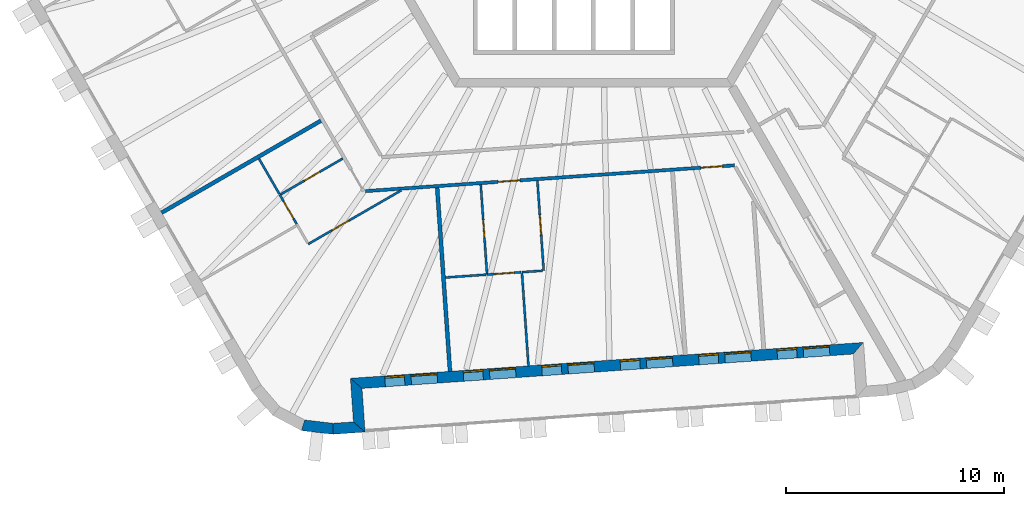
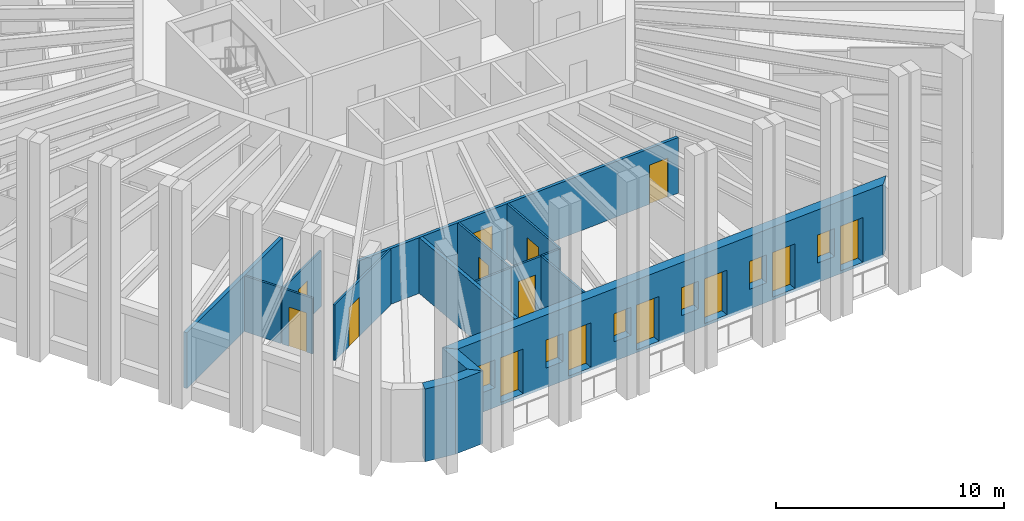
# One storey, part 3 of 13: 17 walls, 14 doors, 6 windows, 20 openings.
"""IFC4 building model written with IfcOpenShell, lengths in metres."""

from ifc_helpers import new_model, si_unit, direction, frame, frame_2d, origin, place, context, subcontext, project, spatial, polyline, rectangle, outline, extrude, material, layer, layer_set, type_object, element, fill, save


model = new_model("IFC4")

# Units and contexts
model_context = context("Model", 3, precision=1e-05, world=origin(), true_north=direction((0.0, 1.0)))
body_context = subcontext(model_context, "Body", "Model", "MODEL_VIEW")
ifc_project = project(units=[si_unit("LENGTHUNIT", "METRE"), si_unit("AREAUNIT", "SQUARE_METRE"), si_unit("VOLUMEUNIT", "CUBIC_METRE"), si_unit("PLANEANGLEUNIT", "RADIAN"), si_unit("MASSUNIT", "GRAM", prefix="KILO")], contexts=[model_context])

# Site, building, storey
site_placement = place(None, origin())
site = spatial("IfcSite", under=ifc_project, at=site_placement, CompositionType="ELEMENT")
building_placement = place(site_placement, origin())
building = spatial("IfcBuilding", under=site, at=building_placement, Name="Tarnside Tower", CompositionType="ELEMENT")
storey_placement = place(building_placement, frame((0.0, 0.0, 303.0)))
storey = spatial("IfcBuildingStorey", under=building, at=storey_placement, Name="L73", CompositionType="ELEMENT", Elevation=303.0)

# Wall, opening, door
ifc_material_1 = material(Name="Gypsum board partition on steel studs", Category="steel")
ifc_layer_1 = layer(ifc_material_1, 0.10009765625)
ifc_layer_set_1 = layer_set([ifc_layer_1], Name="Bathroom wall 100")
wall_type_1 = type_object("IfcWallType", Name="Bathroom wall 100", PredefinedType="PARTITIONING", material=ifc_layer_set_1)
wall_1_placement = place(storey_placement, frame((-11.47509765625, -14.274658203125, 0.0), z_axis=(0.0, 0.0, 1.0), x_axis=(-0.866002163101, -0.500040251884, 0.0)))
wall_1 = element("IfcWall", 1, at=wall_1_placement, inside=storey, type_object=wall_type_1, Name="Bathroom wall 24130", PredefinedType="PARTITIONING", context=body_context, shape_type="SweptSolid", body=[
    extrude(rectangle(XDim=3.324951171875, YDim=0.10009765625, at=frame_2d((1.66259765625, 0.0))), origin(), (0.0, 0.0, 1.0), 2.98779296875),
])
opening_1_placement = place(wall_1_placement, frame((1.22509765625, 0.0, 0.0)))
opening_1 = element("IfcOpeningElement", 2, at=opening_1_placement, cuts=wall_1, Name="Opening D-B1", PredefinedType="OPENING", context=body_context, shape_type="SweptSolid", body=[
    extrude(rectangle(XDim=0.800048828125, YDim=2.10009765625, at=frame_2d((0.39990234375, 1.050048828125))), frame((0.0, 0.06005859375, 0.0), z_axis=(0.0, -1.0, 0.0), x_axis=(1.0, 0.0, 0.0)), (0.0, 0.0, 1.0), 0.1201171875),
])
ifc_material_2 = material(Name="Timber door leaf", Category="wood")
door_type_1 = type_object("IfcDoorType", Name="Bathroom door 800", OperationType="NOTDEFINED", PredefinedType="DOOR", material=ifc_material_2)
door_1_placement = place(opening_1_placement, origin())
door_1 = element("IfcDoor", 3, at=door_1_placement, inside=storey, type_object=door_type_1, Name="Bathroom door 24034", OperationType="SINGLE_SWING_RIGHT", OverallHeight=2.10009765625, OverallWidth=0.800048828125, PredefinedType="DOOR", context=body_context, shape_type="SweptSolid", body=[
    extrude(rectangle(XDim=0.800048828125, YDim=2.10009765625, at=frame_2d((0.39990234375, 1.050048828125))), frame((0.0, 0.02490234375, 0.0), z_axis=(0.0, -1.0, 0.0), x_axis=(1.0, 0.0, 0.0)), (0.0, 0.0, 1.0), 0.050048828125),
])
fill(opening_1, door_1)

# Wall
wall_2_placement = place(storey_placement, frame((-15.3095703125, -14.283203125, 0.0), z_axis=(0.0, 0.0, 1.0), x_axis=(0.500059143742, -0.865991254436, 0.0)))
element("IfcWall", 4, at=wall_2_placement, inside=storey, type_object=wall_type_1, Name="Bathroom wall 24132", PredefinedType="PARTITIONING", context=body_context, shape_type="SweptSolid", body=[
    extrude(rectangle(XDim=1.862060546875, YDim=0.10009765625, at=frame_2d((0.93115234375, 0.0))), origin(), (0.0, 0.0, 1.0), 2.98779296875),
])

# Wall, opening, door
wall_3_placement = place(storey_placement, frame((-5.157958984375, -15.472412109375, 0.0), z_axis=(0.0, 0.0, 1.0), x_axis=(0.069779065701, -0.997562470219, 0.0)))
wall_3 = element("IfcWall", 5, at=wall_3_placement, inside=storey, type_object=wall_type_1, Name="Bathroom wall 24137", PredefinedType="PARTITIONING", context=body_context, shape_type="SweptSolid", body=[
    extrude(rectangle(XDim=4.125, YDim=0.10009765625, at=frame_2d((2.0625, 0.0))), origin(), (0.0, 0.0, 1.0), 2.98779296875),
])
opening_2_placement = place(wall_3_placement, frame((1.625, 0.0, 0.0)))
opening_2 = element("IfcOpeningElement", 6, at=opening_2_placement, cuts=wall_3, Name="Opening D-B1", PredefinedType="OPENING", context=body_context, shape_type="SweptSolid", body=[
    extrude(rectangle(XDim=0.800048828125, YDim=2.10009765625, at=frame_2d((0.39990234375, 1.050048828125))), frame((0.0, 0.06005859375, 0.0), z_axis=(0.0, -1.0, 0.0), x_axis=(1.0, 0.0, 0.0)), (0.0, 0.0, 1.0), 0.1201171875),
])
door_2_placement = place(opening_2_placement, origin())
door_2 = element("IfcDoor", 7, at=door_2_placement, inside=storey, type_object=door_type_1, Name="Bathroom door 24038", OperationType="SINGLE_SWING_RIGHT", OverallHeight=2.10009765625, OverallWidth=0.800048828125, PredefinedType="DOOR", context=body_context, shape_type="SweptSolid", body=[
    extrude(rectangle(XDim=0.800048828125, YDim=2.10009765625, at=frame_2d((0.39990234375, 1.050048828125))), frame((0.0, 0.02490234375, 0.0), z_axis=(0.0, -1.0, 0.0), x_axis=(1.0, 0.0, 0.0)), (0.0, 0.0, 1.0), 0.050048828125),
])
fill(opening_2, door_2)

# Wall
wall_4_placement = place(storey_placement, frame((-6.775634765625, -19.720703125, 0.0), z_axis=(0.0, 0.0, 1.0), x_axis=(0.997564079323, 0.069756058123, 0.0)))
element("IfcWall", 8, at=wall_4_placement, inside=storey, type_object=wall_type_1, Name="Bathroom wall 24139", PredefinedType="PARTITIONING", context=body_context, shape_type="SweptSolid", body=[
    extrude(rectangle(XDim=1.862060546875, YDim=0.10009765625, at=frame_2d((0.93115234375, 0.0))), origin(), (0.0, 0.0, 1.0), 2.98779296875),
])

# Wall, openings, doors
ifc_layer_2 = layer(ifc_material_1, 0.14990234375)
ifc_layer_set_2 = layer_set([ifc_layer_2], Name="Corridor wall 150 EI 60")
wall_type_2 = type_object("IfcWallType", Name="Corridor wall 150 EI 60", PredefinedType="PARTITIONING", material=ifc_layer_set_2)
wall_5_placement = place(storey_placement, frame((-10.4404296875, -15.7666015625, 0.0), z_axis=(0.0, 0.0, 1.0), x_axis=(0.997565037323, 0.069742356651, 0.0)))
wall_5 = element("IfcWall", 9, at=wall_5_placement, inside=storey, type_object=wall_type_2, Name="Corridor wall 24034", PredefinedType="PARTITIONING", context=body_context, shape_type="SweptSolid", body=[
    extrude(rectangle(XDim=16.939453125, YDim=0.14990234375, at=frame_2d((8.4697265625, 0.0))), origin(), (0.0, 0.0, 1.0), 2.98779296875),
])
opening_3_placement = place(wall_5_placement, frame((6.090087890625, 0.0, 0.0)))
opening_3 = element("IfcOpeningElement", 10, at=opening_3_placement, cuts=wall_5, Name="Opening D-E1", PredefinedType="OPENING", context=body_context, shape_type="SweptSolid", body=[
    extrude(rectangle(XDim=1.0, YDim=2.10009765625, at=frame_2d((0.5, 1.050048828125))), frame((0.0, 0.0849609375, 0.0), z_axis=(0.0, -1.0, 0.0), x_axis=(1.0, 0.0, 0.0)), (0.0, 0.0, 1.0), 0.169921875),
])
opening_4_placement = place(wall_5_placement, frame((15.39013671875, 0.0, 0.0)))
opening_4 = element("IfcOpeningElement", 11, at=opening_4_placement, cuts=wall_5, Name="Opening D-E1", PredefinedType="OPENING", context=body_context, shape_type="SweptSolid", body=[
    extrude(rectangle(XDim=1.0, YDim=2.10009765625, at=frame_2d((0.5, 1.050048828125))), frame((0.0, 0.0849609375, 0.0), z_axis=(0.0, -1.0, 0.0), x_axis=(1.0, 0.0, 0.0)), (0.0, 0.0, 1.0), 0.169921875),
])
door_type_2 = type_object("IfcDoorType", Name="Unit entrance door 1000 FD30S", OperationType="NOTDEFINED", PredefinedType="DOOR", material=ifc_material_2)
door_3_placement = place(opening_3_placement, origin())
door_3 = element("IfcDoor", 12, at=door_3_placement, inside=storey, type_object=door_type_2, Name="Unit door 24037", OperationType="SINGLE_SWING_LEFT", OverallHeight=2.10009765625, OverallWidth=1.0, PredefinedType="DOOR", context=body_context, shape_type="SweptSolid", body=[
    extrude(rectangle(XDim=1.0, YDim=2.10009765625, at=frame_2d((0.5, 1.050048828125))), frame((0.0, 0.02490234375, 0.0), z_axis=(0.0, -1.0, 0.0), x_axis=(1.0, 0.0, 0.0)), (0.0, 0.0, 1.0), 0.050048828125),
])
fill(opening_3, door_3)
door_4_placement = place(opening_4_placement, origin())
door_4 = element("IfcDoor", 13, at=door_4_placement, inside=storey, type_object=door_type_2, Name="Unit door 24041", OperationType="SINGLE_SWING_LEFT", OverallHeight=2.10009765625, OverallWidth=1.0, PredefinedType="DOOR", context=body_context, shape_type="SweptSolid", body=[
    extrude(rectangle(XDim=1.0, YDim=2.10009765625, at=frame_2d((0.5, 1.050048828125))), frame((0.0, 0.02490234375, 0.0), z_axis=(0.0, -1.0, 0.0), x_axis=(1.0, 0.0, 0.0)), (0.0, 0.0, 1.0), 0.050048828125),
])
fill(opening_4, door_4)

# Walls
ifc_layer_3 = layer(ifc_material_1, 0.179931640625)
ifc_layer_set_3 = layer_set([ifc_layer_3], Name="Demising wall 180 EI 60")
wall_type_3 = type_object("IfcWallType", Name="Demising wall 180 EI 60", PredefinedType="PARTITIONING", material=ifc_layer_set_3)
wall_6_placement = place(storey_placement, frame((-19.771240234375, -16.755126953125, 0.0), z_axis=(0.0, 0.0, 1.0), x_axis=(0.866026819143, 0.499997548519, 0.0)))
element("IfcWall", 14, at=wall_6_placement, inside=storey, type_object=wall_type_3, Name="Demising wall 24116", PredefinedType="PARTITIONING", context=body_context, shape_type="SweptSolid", body=[
    extrude(rectangle(XDim=8.4248046875, YDim=0.179931640625, at=frame_2d((4.21240234375, 0.0))), origin(), (0.0, 0.0, 1.0), 2.98779296875),
])
wall_7_placement = place(storey_placement, frame((-6.5654296875, -24.0166015625, 0.0), z_axis=(0.0, 0.0, 1.0), x_axis=(-0.069749826803, 0.997564515037, 0.0)))
element("IfcWall", 15, at=wall_7_placement, inside=storey, type_object=wall_type_3, Name="Demising wall 24128", PredefinedType="PARTITIONING", context=body_context, shape_type="SweptSolid", body=[
    extrude(rectangle(XDim=8.425048828125, YDim=0.179931640625, at=frame_2d((4.21240234375, 0.0))), origin(), (0.0, 0.0, 1.0), 2.98779296875),
])
ifc_material_3 = material(Name="Dark zinc cladding")
ifc_layer_4 = layer(ifc_material_3, 0.10205078125)
ifc_material_4 = material(Name="Concrete C60/75 precast", Category="concrete")
ifc_layer_5 = layer(ifc_material_4, 0.298095703125)
ifc_material_5 = material(Name="Mineral wool insulation")
ifc_layer_6 = layer(ifc_material_5, 0.10009765625)
ifc_layer_set_4 = layer_set([ifc_layer_4, ifc_layer_5, ifc_layer_6], Name="Loggia wall 500 zinc faced")
wall_type_4 = type_object("IfcWallType", Name="Loggia wall 500 zinc faced", PredefinedType="SOLIDWALL", material=ifc_layer_set_4)
wall_8_placement = place(storey_placement, frame((-11.91748046875, -26.646240234375, -0.14990234375), z_axis=(0.0, 0.0, 1.0), x_axis=(0.997562933087, 0.069772448216, 0.0)))
element("IfcWall", 16, at=wall_8_placement, inside=storey, type_object=wall_type_4, Name="Tube wall L73 F4 stub 16", PredefinedType="SOLIDWALL", context=body_context, shape_type="SweptSolid", body=[
    extrude(outline(polyline([(-0.0234375, -0.25), (1.4501953125, -0.25), (0.9501953125, 0.25), (0.0234375, 0.25), (-0.0234375, -0.25)])), origin(), (0.0, 0.0, 1.0), 3.89990234375),
])
wall_9_placement = place(storey_placement, frame((-10.72021484375, -26.5625, -0.14990234375), z_axis=(0.0, 0.0, 1.0), x_axis=(-0.069824268692, 0.99755930726, 0.0)))
element("IfcWall", 17, at=wall_9_placement, inside=storey, type_object=wall_type_4, Name="Tube wall L73 F4 return 17", PredefinedType="SOLIDWALL", context=body_context, shape_type="SweptSolid", body=[
    extrude(outline(polyline([(-0.25, -0.25), (1.75, -0.25), (2.25, 0.25), (0.25, 0.25), (-0.25, -0.25)])), origin(), (0.0, 0.0, 1.0), 3.89990234375),
])

# Wall, openings, doors, windows
wall_10_placement = place(storey_placement, frame((-10.85986328125, -24.5673828125, -0.14990234375), z_axis=(0.0, 0.0, 1.0), x_axis=(0.997564329317, 0.06975248292, 0.0)))
wall_10 = element("IfcWall", 18, at=wall_10_placement, inside=storey, type_object=wall_type_4, Name="Tube wall L73 F4 back 18", PredefinedType="SOLIDWALL", context=body_context, shape_type="SweptSolid", body=[
    extrude(outline(polyline([(0.25, -0.25), (22.794677734375, -0.25), (23.294677734375, 0.25), (-0.25, 0.25), (0.25, -0.25)])), origin(), (0.0, 0.0, 1.0), 3.89990234375),
])
opening_5_placement = place(wall_10_placement, frame((1.322509765625, 0.0, 1.050048828125)))
opening_5 = element("IfcOpeningElement", 19, at=opening_5_placement, cuts=wall_10, Name="Opening WL500", PredefinedType="OPENING", context=body_context, shape_type="SweptSolid", body=[
    extrude(rectangle(XDim=0.89990234375, YDim=1.5, at=frame_2d((0.449951171875, 0.75))), frame((0.0, 0.260009765625, 0.0), z_axis=(0.0, -1.0, 0.0), x_axis=(1.0, 0.0, 0.0)), (0.0, 0.0, 1.0), 0.52001953125),
])
opening_6_placement = place(wall_10_placement, frame((2.5224609375, 0.0, 0.14990234375)))
opening_6 = element("IfcOpeningElement", 20, at=opening_6_placement, cuts=wall_10, Name="Opening DB500", PredefinedType="OPENING", context=body_context, shape_type="SweptSolid", body=[
    extrude(rectangle(XDim=1.199951171875, YDim=2.39990234375, at=frame_2d((0.60009765625, 1.199951171875))), frame((0.0, 0.260009765625, 0.0), z_axis=(0.0, -1.0, 0.0), x_axis=(1.0, 0.0, 0.0)), (0.0, 0.0, 1.0), 0.52001953125),
])
opening_7_placement = place(wall_10_placement, frame((4.92236328125, 0.0, 1.050048828125)))
opening_7 = element("IfcOpeningElement", 21, at=opening_7_placement, cuts=wall_10, Name="Opening WL500", PredefinedType="OPENING", context=body_context, shape_type="SweptSolid", body=[
    extrude(rectangle(XDim=0.89990234375, YDim=1.5, at=frame_2d((0.449951171875, 0.75))), frame((0.0, 0.260009765625, 0.0), z_axis=(0.0, -1.0, 0.0), x_axis=(1.0, 0.0, 0.0)), (0.0, 0.0, 1.0), 0.52001953125),
])
opening_8_placement = place(wall_10_placement, frame((6.122314453125, 0.0, 0.14990234375)))
opening_8 = element("IfcOpeningElement", 22, at=opening_8_placement, cuts=wall_10, Name="Opening DB500", PredefinedType="OPENING", context=body_context, shape_type="SweptSolid", body=[
    extrude(rectangle(XDim=1.199951171875, YDim=2.39990234375, at=frame_2d((0.60009765625, 1.199951171875))), frame((0.0, 0.260009765625, 0.0), z_axis=(0.0, -1.0, 0.0), x_axis=(1.0, 0.0, 0.0)), (0.0, 0.0, 1.0), 0.52001953125),
])
opening_9_placement = place(wall_10_placement, frame((8.5224609375, 0.0, 1.050048828125)))
opening_9 = element("IfcOpeningElement", 23, at=opening_9_placement, cuts=wall_10, Name="Opening WL500", PredefinedType="OPENING", context=body_context, shape_type="SweptSolid", body=[
    extrude(rectangle(XDim=0.89990234375, YDim=1.5, at=frame_2d((0.449951171875, 0.75))), frame((0.0, 0.260009765625, 0.0), z_axis=(0.0, -1.0, 0.0), x_axis=(1.0, 0.0, 0.0)), (0.0, 0.0, 1.0), 0.52001953125),
])
opening_10_placement = place(wall_10_placement, frame((9.722412109375, 0.0, 0.14990234375)))
opening_10 = element("IfcOpeningElement", 24, at=opening_10_placement, cuts=wall_10, Name="Opening DB500", PredefinedType="OPENING", context=body_context, shape_type="SweptSolid", body=[
    extrude(rectangle(XDim=1.199951171875, YDim=2.39990234375, at=frame_2d((0.60009765625, 1.199951171875))), frame((0.0, 0.260009765625, 0.0), z_axis=(0.0, -1.0, 0.0), x_axis=(1.0, 0.0, 0.0)), (0.0, 0.0, 1.0), 0.52001953125),
])
opening_11_placement = place(wall_10_placement, frame((12.122314453125, 0.0, 1.050048828125)))
opening_11 = element("IfcOpeningElement", 25, at=opening_11_placement, cuts=wall_10, Name="Opening WL500", PredefinedType="OPENING", context=body_context, shape_type="SweptSolid", body=[
    extrude(rectangle(XDim=0.89990234375, YDim=1.5, at=frame_2d((0.449951171875, 0.75))), frame((0.0, 0.260009765625, 0.0), z_axis=(0.0, -1.0, 0.0), x_axis=(1.0, 0.0, 0.0)), (0.0, 0.0, 1.0), 0.52001953125),
])
opening_12_placement = place(wall_10_placement, frame((13.322509765625, 0.0, 0.14990234375)))
opening_12 = element("IfcOpeningElement", 26, at=opening_12_placement, cuts=wall_10, Name="Opening DB500", PredefinedType="OPENING", context=body_context, shape_type="SweptSolid", body=[
    extrude(rectangle(XDim=1.199951171875, YDim=2.39990234375, at=frame_2d((0.60009765625, 1.199951171875))), frame((0.0, 0.260009765625, 0.0), z_axis=(0.0, -1.0, 0.0), x_axis=(1.0, 0.0, 0.0)), (0.0, 0.0, 1.0), 0.52001953125),
])
opening_13_placement = place(wall_10_placement, frame((15.722412109375, 0.0, 1.050048828125)))
opening_13 = element("IfcOpeningElement", 27, at=opening_13_placement, cuts=wall_10, Name="Opening WL500", PredefinedType="OPENING", context=body_context, shape_type="SweptSolid", body=[
    extrude(rectangle(XDim=0.89990234375, YDim=1.5, at=frame_2d((0.449951171875, 0.75))), frame((0.0, 0.260009765625, 0.0), z_axis=(0.0, -1.0, 0.0), x_axis=(1.0, 0.0, 0.0)), (0.0, 0.0, 1.0), 0.52001953125),
])
opening_14_placement = place(wall_10_placement, frame((16.92236328125, 0.0, 0.14990234375)))
opening_14 = element("IfcOpeningElement", 28, at=opening_14_placement, cuts=wall_10, Name="Opening DB500", PredefinedType="OPENING", context=body_context, shape_type="SweptSolid", body=[
    extrude(rectangle(XDim=1.199951171875, YDim=2.39990234375, at=frame_2d((0.60009765625, 1.199951171875))), frame((0.0, 0.260009765625, 0.0), z_axis=(0.0, -1.0, 0.0), x_axis=(1.0, 0.0, 0.0)), (0.0, 0.0, 1.0), 0.52001953125),
])
opening_15_placement = place(wall_10_placement, frame((19.322509765625, 0.0, 1.050048828125)))
opening_15 = element("IfcOpeningElement", 29, at=opening_15_placement, cuts=wall_10, Name="Opening WL500", PredefinedType="OPENING", context=body_context, shape_type="SweptSolid", body=[
    extrude(rectangle(XDim=0.89990234375, YDim=1.5, at=frame_2d((0.449951171875, 0.75))), frame((0.0, 0.260009765625, 0.0), z_axis=(0.0, -1.0, 0.0), x_axis=(1.0, 0.0, 0.0)), (0.0, 0.0, 1.0), 0.52001953125),
])
opening_16_placement = place(wall_10_placement, frame((20.5224609375, 0.0, 0.14990234375)))
opening_16 = element("IfcOpeningElement", 30, at=opening_16_placement, cuts=wall_10, Name="Opening DB500", PredefinedType="OPENING", context=body_context, shape_type="SweptSolid", body=[
    extrude(rectangle(XDim=1.199951171875, YDim=2.39990234375, at=frame_2d((0.60009765625, 1.199951171875))), frame((0.0, 0.260009765625, 0.0), z_axis=(0.0, -1.0, 0.0), x_axis=(1.0, 0.0, 0.0)), (0.0, 0.0, 1.0), 0.52001953125),
])
ifc_material_6 = material(Name="Aluminium-framed double glazing", Category="aluminium")
door_type_3 = type_object("IfcDoorType", Name="Balcony sliding door 1200 x 2400 in 500 wall", OperationType="SLIDING_TO_LEFT", PredefinedType="DOOR", material=ifc_material_6)
door_5_placement = place(opening_6_placement, frame((0.0, 0.1748046875, 0.0)))
door_5 = element("IfcDoor", 31, at=door_5_placement, inside=storey, type_object=door_type_3, Name="E.BD.L73.F4.00", OperationType="SLIDING_TO_LEFT", OverallHeight=2.39990234375, OverallWidth=1.199951171875, PredefinedType="DOOR", context=body_context, shape_type="SweptSolid", body=[
    extrude(rectangle(XDim=1.199951171875, YDim=2.39990234375, at=frame_2d((0.60009765625, 1.199951171875))), frame((0.0, 0.02490234375, 0.0), z_axis=(0.0, -1.0, 0.0), x_axis=(1.0, 0.0, 0.0)), (0.0, 0.0, 1.0), 0.050048828125),
])
fill(opening_6, door_5)
door_6_placement = place(opening_8_placement, frame((0.0, 0.1748046875, 0.0)))
door_6 = element("IfcDoor", 32, at=door_6_placement, inside=storey, type_object=door_type_3, Name="E.BD.L73.F4.01", OperationType="SLIDING_TO_LEFT", OverallHeight=2.39990234375, OverallWidth=1.199951171875, PredefinedType="DOOR", context=body_context, shape_type="SweptSolid", body=[
    extrude(rectangle(XDim=1.199951171875, YDim=2.39990234375, at=frame_2d((0.60009765625, 1.199951171875))), frame((0.0, 0.02490234375, 0.0), z_axis=(0.0, -1.0, 0.0), x_axis=(1.0, 0.0, 0.0)), (0.0, 0.0, 1.0), 0.050048828125),
])
fill(opening_8, door_6)
door_7_placement = place(opening_10_placement, frame((0.0, 0.1748046875, 0.0)))
door_7 = element("IfcDoor", 33, at=door_7_placement, inside=storey, type_object=door_type_3, Name="E.BD.L73.F4.02", OperationType="SLIDING_TO_LEFT", OverallHeight=2.39990234375, OverallWidth=1.199951171875, PredefinedType="DOOR", context=body_context, shape_type="SweptSolid", body=[
    extrude(rectangle(XDim=1.199951171875, YDim=2.39990234375, at=frame_2d((0.60009765625, 1.199951171875))), frame((0.0, 0.02490234375, 0.0), z_axis=(0.0, -1.0, 0.0), x_axis=(1.0, 0.0, 0.0)), (0.0, 0.0, 1.0), 0.050048828125),
])
fill(opening_10, door_7)
door_8_placement = place(opening_12_placement, frame((0.0, 0.1748046875, 0.0)))
door_8 = element("IfcDoor", 34, at=door_8_placement, inside=storey, type_object=door_type_3, Name="E.BD.L73.F4.03", OperationType="SLIDING_TO_LEFT", OverallHeight=2.39990234375, OverallWidth=1.199951171875, PredefinedType="DOOR", context=body_context, shape_type="SweptSolid", body=[
    extrude(rectangle(XDim=1.199951171875, YDim=2.39990234375, at=frame_2d((0.60009765625, 1.199951171875))), frame((0.0, 0.02490234375, 0.0), z_axis=(0.0, -1.0, 0.0), x_axis=(1.0, 0.0, 0.0)), (0.0, 0.0, 1.0), 0.050048828125),
])
fill(opening_12, door_8)
door_9_placement = place(opening_14_placement, frame((0.0, 0.1748046875, 0.0)))
door_9 = element("IfcDoor", 35, at=door_9_placement, inside=storey, type_object=door_type_3, Name="E.BD.L73.F4.04", OperationType="SLIDING_TO_LEFT", OverallHeight=2.39990234375, OverallWidth=1.199951171875, PredefinedType="DOOR", context=body_context, shape_type="SweptSolid", body=[
    extrude(rectangle(XDim=1.199951171875, YDim=2.39990234375, at=frame_2d((0.60009765625, 1.199951171875))), frame((0.0, 0.02490234375, 0.0), z_axis=(0.0, -1.0, 0.0), x_axis=(1.0, 0.0, 0.0)), (0.0, 0.0, 1.0), 0.050048828125),
])
fill(opening_14, door_9)
door_10_placement = place(opening_16_placement, frame((0.0, 0.1748046875, 0.0)))
door_10 = element("IfcDoor", 36, at=door_10_placement, inside=storey, type_object=door_type_3, Name="E.BD.L73.F4.05", OperationType="SLIDING_TO_LEFT", OverallHeight=2.39990234375, OverallWidth=1.199951171875, PredefinedType="DOOR", context=body_context, shape_type="SweptSolid", body=[
    extrude(rectangle(XDim=1.199951171875, YDim=2.39990234375, at=frame_2d((0.60009765625, 1.199951171875))), frame((0.0, 0.02490234375, 0.0), z_axis=(0.0, -1.0, 0.0), x_axis=(1.0, 0.0, 0.0)), (0.0, 0.0, 1.0), 0.050048828125),
])
fill(opening_16, door_10)
window_type = type_object("IfcWindowType", Name="Loggia window 900 x 1500 in 500 wall", PartitioningType="SINGLE_PANEL", PredefinedType="WINDOW", material=ifc_material_6)
window_1_placement = place(opening_5_placement, frame((0.0, 0.179931640625, 0.0)))
window_1 = element("IfcWindow", 37, at=window_1_placement, inside=storey, type_object=window_type, Name="E.LW.L73.F4.00", OverallHeight=1.5, OverallWidth=0.89990234375, PartitioningType="SINGLE_PANEL", PredefinedType="WINDOW", context=body_context, shape_type="SweptSolid", body=[
    extrude(rectangle(XDim=0.89990234375, YDim=1.5, at=frame_2d((0.449951171875, 0.75))), frame((0.0, 0.030029296875, 0.0), z_axis=(0.0, -1.0, 0.0), x_axis=(1.0, 0.0, 0.0)), (0.0, 0.0, 1.0), 0.06005859375),
])
fill(opening_5, window_1)
window_2_placement = place(opening_7_placement, frame((0.0, 0.179931640625, 0.0)))
window_2 = element("IfcWindow", 38, at=window_2_placement, inside=storey, type_object=window_type, Name="E.LW.L73.F4.01", OverallHeight=1.5, OverallWidth=0.89990234375, PartitioningType="SINGLE_PANEL", PredefinedType="WINDOW", context=body_context, shape_type="SweptSolid", body=[
    extrude(rectangle(XDim=0.89990234375, YDim=1.5, at=frame_2d((0.449951171875, 0.75))), frame((0.0, 0.030029296875, 0.0), z_axis=(0.0, -1.0, 0.0), x_axis=(1.0, 0.0, 0.0)), (0.0, 0.0, 1.0), 0.06005859375),
])
fill(opening_7, window_2)
window_3_placement = place(opening_9_placement, frame((0.0, 0.179931640625, 0.0)))
window_3 = element("IfcWindow", 39, at=window_3_placement, inside=storey, type_object=window_type, Name="E.LW.L73.F4.02", OverallHeight=1.5, OverallWidth=0.89990234375, PartitioningType="SINGLE_PANEL", PredefinedType="WINDOW", context=body_context, shape_type="SweptSolid", body=[
    extrude(rectangle(XDim=0.89990234375, YDim=1.5, at=frame_2d((0.449951171875, 0.75))), frame((0.0, 0.030029296875, 0.0), z_axis=(0.0, -1.0, 0.0), x_axis=(1.0, 0.0, 0.0)), (0.0, 0.0, 1.0), 0.06005859375),
])
fill(opening_9, window_3)
window_4_placement = place(opening_11_placement, frame((0.0, 0.179931640625, 0.0)))
window_4 = element("IfcWindow", 40, at=window_4_placement, inside=storey, type_object=window_type, Name="E.LW.L73.F4.03", OverallHeight=1.5, OverallWidth=0.89990234375, PartitioningType="SINGLE_PANEL", PredefinedType="WINDOW", context=body_context, shape_type="SweptSolid", body=[
    extrude(rectangle(XDim=0.89990234375, YDim=1.5, at=frame_2d((0.449951171875, 0.75))), frame((0.0, 0.030029296875, 0.0), z_axis=(0.0, -1.0, 0.0), x_axis=(1.0, 0.0, 0.0)), (0.0, 0.0, 1.0), 0.06005859375),
])
fill(opening_11, window_4)
window_5_placement = place(opening_13_placement, frame((0.0, 0.179931640625, 0.0)))
window_5 = element("IfcWindow", 41, at=window_5_placement, inside=storey, type_object=window_type, Name="E.LW.L73.F4.04", OverallHeight=1.5, OverallWidth=0.89990234375, PartitioningType="SINGLE_PANEL", PredefinedType="WINDOW", context=body_context, shape_type="SweptSolid", body=[
    extrude(rectangle(XDim=0.89990234375, YDim=1.5, at=frame_2d((0.449951171875, 0.75))), frame((0.0, 0.030029296875, 0.0), z_axis=(0.0, -1.0, 0.0), x_axis=(1.0, 0.0, 0.0)), (0.0, 0.0, 1.0), 0.06005859375),
])
fill(opening_13, window_5)
window_6_placement = place(opening_15_placement, frame((0.0, 0.179931640625, 0.0)))
window_6 = element("IfcWindow", 42, at=window_6_placement, inside=storey, type_object=window_type, Name="E.LW.L73.F4.05", OverallHeight=1.5, OverallWidth=0.89990234375, PartitioningType="SINGLE_PANEL", PredefinedType="WINDOW", context=body_context, shape_type="SweptSolid", body=[
    extrude(rectangle(XDim=0.89990234375, YDim=1.5, at=frame_2d((0.449951171875, 0.75))), frame((0.0, 0.030029296875, 0.0), z_axis=(0.0, -1.0, 0.0), x_axis=(1.0, 0.0, 0.0)), (0.0, 0.0, 1.0), 0.06005859375),
])
fill(opening_15, window_6)

# Wall, opening, door
ifc_layer_7 = layer(ifc_material_1, 0.10009765625)
ifc_layer_set_5 = layer_set([ifc_layer_7], Name="Partition 100")
wall_type_5 = type_object("IfcWallType", Name="Partition 100", PredefinedType="PARTITIONING", material=ifc_layer_set_5)
wall_11_placement = place(storey_placement, frame((-8.789306640625, -15.726318359375, 0.0), z_axis=(0.0, 0.0, 1.0), x_axis=(-0.866010575439, -0.500025682568, 0.0)))
wall_11 = element("IfcWall", 43, at=wall_11_placement, inside=storey, type_object=wall_type_5, Name="Partition wall 24125", PredefinedType="PARTITIONING", context=body_context, shape_type="SweptSolid", body=[
    extrude(rectangle(XDim=4.925048828125, YDim=0.10009765625, at=frame_2d((2.46240234375, 0.0))), origin(), (0.0, 0.0, 1.0), 2.98779296875),
])
opening_17_placement = place(wall_11_placement, frame((2.77490234375, 0.0, 0.0)))
opening_17 = element("IfcOpeningElement", 44, at=opening_17_placement, cuts=wall_11, Name="Opening D-I1", PredefinedType="OPENING", context=body_context, shape_type="SweptSolid", body=[
    extrude(rectangle(XDim=0.89990234375, YDim=2.10009765625, at=frame_2d((0.449951171875, 1.050048828125))), frame((0.0, 0.06005859375, 0.0), z_axis=(0.0, -1.0, 0.0), x_axis=(1.0, 0.0, 0.0)), (0.0, 0.0, 1.0), 0.1201171875),
])
door_type_4 = type_object("IfcDoorType", Name="Internal door 900", OperationType="NOTDEFINED", PredefinedType="DOOR", material=ifc_material_2)
door_11_placement = place(opening_17_placement, origin())
door_11 = element("IfcDoor", 45, at=door_11_placement, inside=storey, type_object=door_type_4, Name="Internal door 24035", OperationType="SINGLE_SWING_LEFT", OverallHeight=2.10009765625, OverallWidth=0.89990234375, PredefinedType="DOOR", context=body_context, shape_type="SweptSolid", body=[
    extrude(rectangle(XDim=0.89990234375, YDim=2.10009765625, at=frame_2d((0.449951171875, 1.050048828125))), frame((0.0, 0.02490234375, 0.0), z_axis=(0.0, -1.0, 0.0), x_axis=(1.0, 0.0, 0.0)), (0.0, 0.0, 1.0), 0.050048828125),
])
fill(opening_17, door_11)

wall_12_placement = place(storey_placement, frame((-14.35546875, -15.935546875, 0.0), z_axis=(0.0, 0.0, 1.0), x_axis=(0.499963041308, -0.866046740844, 0.0)))
wall_12 = element("IfcWall", 46, at=wall_12_placement, inside=storey, type_object=wall_type_5, Name="Partition wall 24131", PredefinedType="PARTITIONING", context=body_context, shape_type="SweptSolid", body=[
    extrude(rectangle(XDim=1.5517578125, YDim=0.10009765625, at=frame_2d((0.77587890625, 0.0))), origin(), (0.0, 0.0, 1.0), 2.98779296875),
])
opening_18_placement = place(wall_12_placement, frame((0.35205078125, 0.0, 0.0)))
opening_18 = element("IfcOpeningElement", 47, at=opening_18_placement, cuts=wall_12, Name="Opening D-I1", PredefinedType="OPENING", context=body_context, shape_type="SweptSolid", body=[
    extrude(rectangle(XDim=0.89990234375, YDim=2.10009765625, at=frame_2d((0.449951171875, 1.050048828125))), frame((0.0, 0.06005859375, 0.0), z_axis=(0.0, -1.0, 0.0), x_axis=(1.0, 0.0, 0.0)), (0.0, 0.0, 1.0), 0.1201171875),
])
door_12_placement = place(opening_18_placement, origin())
door_12 = element("IfcDoor", 48, at=door_12_placement, inside=storey, type_object=door_type_4, Name="Internal door 24036", OperationType="SINGLE_SWING_LEFT", OverallHeight=2.10009765625, OverallWidth=0.89990234375, PredefinedType="DOOR", context=body_context, shape_type="SweptSolid", body=[
    extrude(rectangle(XDim=0.89990234375, YDim=2.10009765625, at=frame_2d((0.449951171875, 1.050048828125))), frame((0.0, 0.02490234375, 0.0), z_axis=(0.0, -1.0, 0.0), x_axis=(1.0, 0.0, 0.0)), (0.0, 0.0, 1.0), 0.050048828125),
])
fill(opening_18, door_12)

wall_13_placement = place(storey_placement, frame((-2.564208984375, -15.291015625, 0.0), z_axis=(0.0, 0.0, 1.0), x_axis=(0.069720168556, -0.997566588302, 0.0)))
wall_13 = element("IfcWall", 49, at=wall_13_placement, inside=storey, type_object=wall_type_5, Name="Partition wall 24133", PredefinedType="PARTITIONING", context=body_context, shape_type="SweptSolid", body=[
    extrude(rectangle(XDim=4.125, YDim=0.10009765625, at=frame_2d((2.0625, 0.0))), origin(), (0.0, 0.0, 1.0), 2.98779296875),
])
opening_19_placement = place(wall_13_placement, frame((1.574951171875, 0.0, 0.0)))
opening_19 = element("IfcOpeningElement", 50, at=opening_19_placement, cuts=wall_13, Name="Opening D-I1", PredefinedType="OPENING", context=body_context, shape_type="SweptSolid", body=[
    extrude(rectangle(XDim=0.89990234375, YDim=2.10009765625, at=frame_2d((0.449951171875, 1.050048828125))), frame((0.0, 0.06005859375, 0.0), z_axis=(0.0, -1.0, 0.0), x_axis=(1.0, 0.0, 0.0)), (0.0, 0.0, 1.0), 0.1201171875),
])
door_13_placement = place(opening_19_placement, origin())
door_13 = element("IfcDoor", 51, at=door_13_placement, inside=storey, type_object=door_type_4, Name="Internal door 24039", OperationType="SINGLE_SWING_RIGHT", OverallHeight=2.10009765625, OverallWidth=0.89990234375, PredefinedType="DOOR", context=body_context, shape_type="SweptSolid", body=[
    extrude(rectangle(XDim=0.89990234375, YDim=2.10009765625, at=frame_2d((0.449951171875, 1.050048828125))), frame((0.0, 0.02490234375, 0.0), z_axis=(0.0, -1.0, 0.0), x_axis=(1.0, 0.0, 0.0)), (0.0, 0.0, 1.0), 0.050048828125),
])
fill(opening_19, door_13)

# Walls
wall_14_placement = place(storey_placement, frame((-2.326416015625, -19.40966796875, 0.0), z_axis=(0.0, 0.0, 1.0), x_axis=(-0.997564323253, -0.069752569646, 0.0)))
element("IfcWall", 52, at=wall_14_placement, inside=storey, type_object=wall_type_5, Name="Partition wall 24134", PredefinedType="PARTITIONING", context=body_context, shape_type="SweptSolid", body=[
    extrude(rectangle(XDim=0.951904296875, YDim=0.10009765625, at=frame_2d((0.47607421875, 0.0))), origin(), (0.0, 0.0, 1.0), 2.98779296875),
])
wall_15_placement = place(storey_placement, frame((-3.270751953125, -19.525634765625, 0.0), z_axis=(0.0, 0.0, 1.0), x_axis=(0.069793686433, -0.997561447398, 0.0)))
element("IfcWall", 53, at=wall_15_placement, inside=storey, type_object=wall_type_5, Name="Partition wall 24135", PredefinedType="PARTITIONING", context=body_context, shape_type="SweptSolid", body=[
    extrude(rectangle(XDim=4.25, YDim=0.10009765625, at=frame_2d((2.125, 0.0))), origin(), (0.0, 0.0, 1.0), 2.98779296875),
])

# Wall, opening, door
wall_16_placement = place(storey_placement, frame((-4.872314453125, -19.587646484375, 0.0), z_axis=(0.0, 0.0, 1.0), x_axis=(0.997558309684, 0.069838519316, 0.0)))
wall_16 = element("IfcWall", 54, at=wall_16_placement, inside=storey, type_object=wall_type_5, Name="Partition wall 24138", PredefinedType="PARTITIONING", context=body_context, shape_type="SweptSolid", body=[
    extrude(rectangle(XDim=1.55224609375, YDim=0.10009765625, at=frame_2d((0.776123046875, 0.0))), origin(), (0.0, 0.0, 1.0), 2.98779296875),
])
opening_20_placement = place(wall_16_placement, frame((0.35205078125, 0.0, 0.0)))
opening_20 = element("IfcOpeningElement", 55, at=opening_20_placement, cuts=wall_16, Name="Opening D-I1", PredefinedType="OPENING", context=body_context, shape_type="SweptSolid", body=[
    extrude(rectangle(XDim=0.89990234375, YDim=2.10009765625, at=frame_2d((0.449951171875, 1.050048828125))), frame((0.0, 0.06005859375, 0.0), z_axis=(0.0, -1.0, 0.0), x_axis=(1.0, 0.0, 0.0)), (0.0, 0.0, 1.0), 0.1201171875),
])
door_14_placement = place(opening_20_placement, origin())
door_14 = element("IfcDoor", 56, at=door_14_placement, inside=storey, type_object=door_type_4, Name="Internal door 24040", OperationType="SINGLE_SWING_LEFT", OverallHeight=2.10009765625, OverallWidth=0.89990234375, PredefinedType="DOOR", context=body_context, shape_type="SweptSolid", body=[
    extrude(rectangle(XDim=0.89990234375, YDim=2.10009765625, at=frame_2d((0.449951171875, 1.050048828125))), frame((0.0, 0.02490234375, 0.0), z_axis=(0.0, -1.0, 0.0), x_axis=(1.0, 0.0, 0.0)), (0.0, 0.0, 1.0), 0.050048828125),
])
fill(opening_20, door_14)

# Wall
ifc_material_7 = material(Name="Facing brick", Category="masonry")
ifc_layer_8 = layer(ifc_material_7, 0.10205078125)
ifc_layer_9 = layer(ifc_material_4, 0.298095703125)
ifc_layer_10 = layer(ifc_material_5, 0.10009765625)
ifc_layer_set_6 = layer_set([ifc_layer_8, ifc_layer_9, ifc_layer_10], Name="Tube wall 500 brick faced")
wall_type_6 = type_object("IfcWallType", Name="Tube wall 500 brick faced", PredefinedType="SOLIDWALL", material=ifc_layer_set_6)
wall_17_placement = place(storey_placement, frame((-13.296142578125, -26.485107421875, -0.14990234375), z_axis=(0.0, 0.0, 1.0), x_axis=(0.993239161627, -0.116086036245, 0.0)))
element("IfcWall", 57, at=wall_17_placement, inside=storey, type_object=wall_type_6, Name="Tube wall L73 F3 chord 15", PredefinedType="SOLIDWALL", context=body_context, shape_type="SweptSolid", body=[
    extrude(outline(polyline([(-0.047119140625, -0.25), (1.411376953125, -0.25), (1.364501953125, 0.25), (0.047119140625, 0.25), (-0.047119140625, -0.25)])), origin(), (0.0, 0.0, 1.0), 3.89990234375),
])

save(model, "model.ifc")
